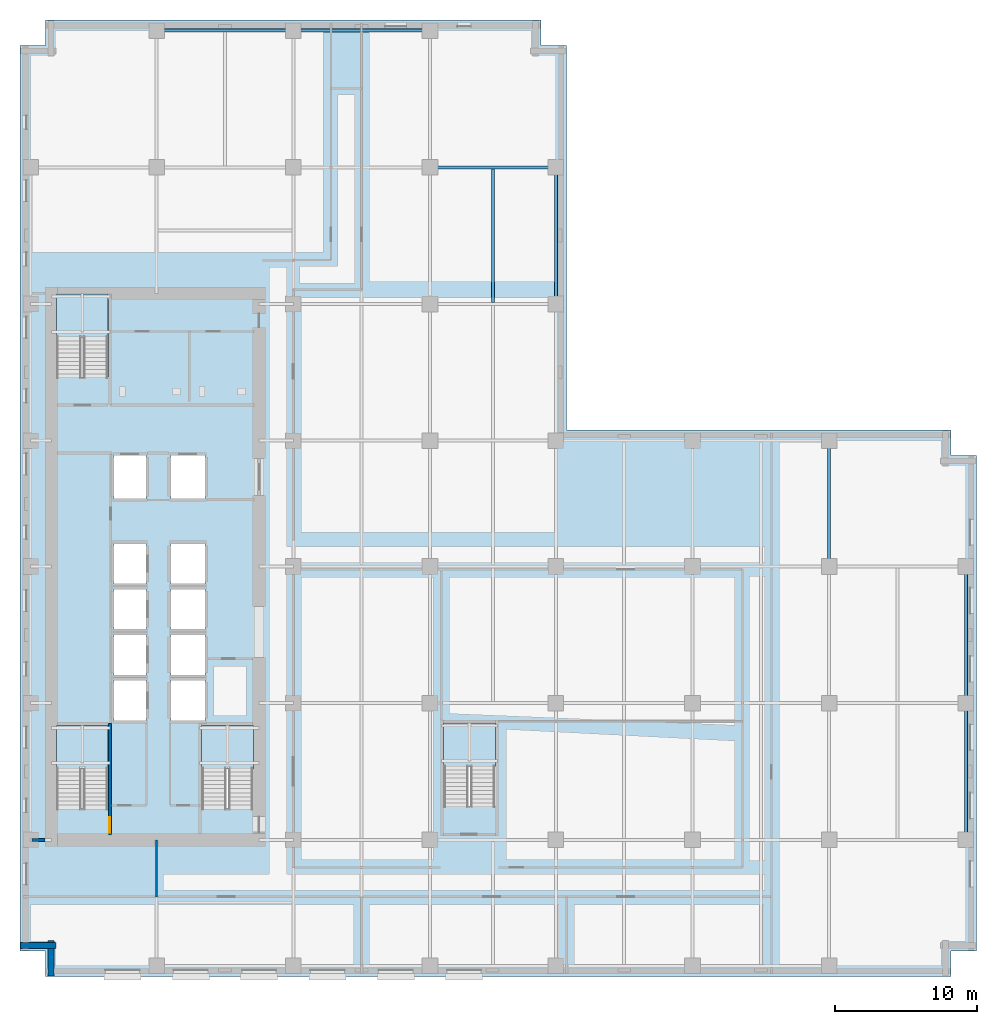
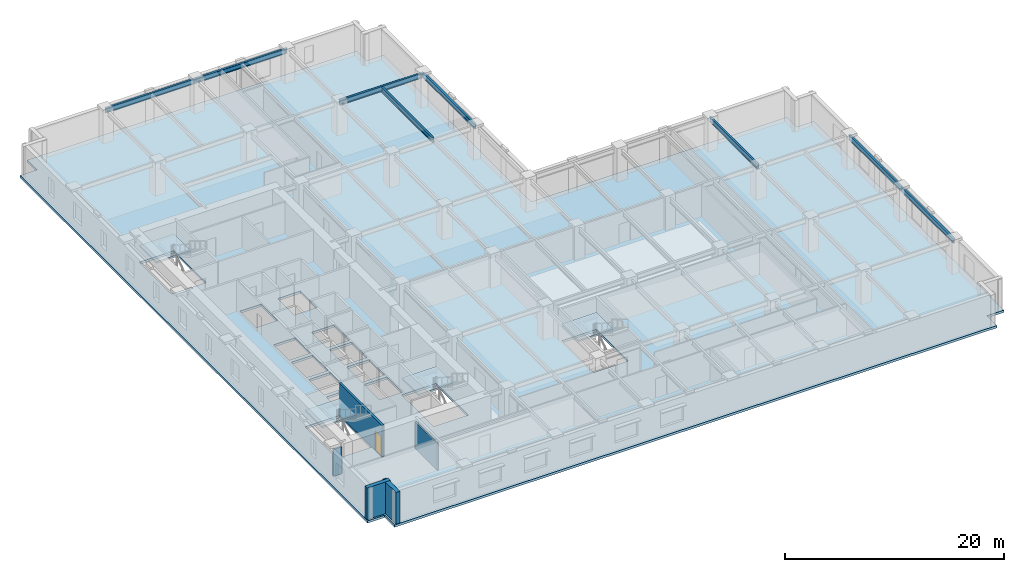
# One storey, part 3 of 14: 8 beams, 5 slabs, 5 walls, 1 door, 1 opening, 4 elements without a shape of their own.
"""IFC4 building model written with IfcOpenShell, lengths in metres."""

from ifc_helpers import new_model, si_unit, direction, frame, frame_2d, origin, origin_2d, place, context, subcontext, project, spatial, polyline, rectangle, i_section, outline, extrude, material, layer, layer_set, material_profile, profile_set, type_object, element, fill, aggregate, save


model = new_model("IFC4")

# Units and contexts
model_context = context("Model", 3, precision=1e-05, world=origin(), true_north=direction((0.0, 1.0)))
body_context = subcontext(model_context, "Body", "Model", "MODEL_VIEW")
ifc_project = project(units=[si_unit("LENGTHUNIT", "METRE"), si_unit("AREAUNIT", "SQUARE_METRE"), si_unit("VOLUMEUNIT", "CUBIC_METRE"), si_unit("PLANEANGLEUNIT", "RADIAN"), si_unit("MASSUNIT", "GRAM", prefix="KILO")], contexts=[model_context])

# Site, building, storey
site_placement = place(None, origin())
site = spatial("IfcSite", under=ifc_project, at=site_placement, CompositionType="ELEMENT")
building_placement = place(site_placement, origin())
building = spatial("IfcBuilding", under=site, at=building_placement, Name="Norrvale University Quadrangle", CompositionType="ELEMENT")
storey_placement = place(building_placement, frame((0.0, 0.0, 73.60009765625)))
storey = spatial("IfcBuildingStorey", under=building, at=storey_placement, Name="L18", CompositionType="ELEMENT", Elevation=73.60009765625)

# Beams
ifc_material_1 = material(Name="Steel 350W", Category="steel")
ifc_material_profile_1 = material_profile(ifc_material_1, i_section(OverallWidth=0.2119140625, OverallDepth=0.5439453125, WebThickness=0.01318359375, FlangeThickness=0.021240234375, FilletRadius=0.013916015625, at=origin_2d()), Name="Steel 350W")
ifc_profile_set_1 = profile_set([ifc_material_profile_1], Name="Steel 350W")
beam_type_1 = type_object("IfcBeamType", Name="Beam Floor W530x123", PredefinedType="BEAM", material=ifc_profile_set_1)
beam_1_placement = place(storey_placement, frame((28.800048828125, 56.85009765625, 3.267822265625), z_axis=(1.0, 0.0, 0.0), x_axis=(0.0, 1.0, 0.0)))
element("IfcBeam", 1, at=beam_1_placement, inside=storey, type_object=beam_type_1, Name="Beam Floor W530x123 BM-L18-GX030", PredefinedType="BEAM", context=body_context, shape_type="SweptSolid", body=[
    extrude(i_section(OverallWidth=0.2119140625, OverallDepth=0.5439453125, WebThickness=0.01318359375, FlangeThickness=0.021240234375, FilletRadius=0.013916015625, at=origin_2d()), origin(), (0.0, 0.0, 1.0), 8.849853515625),
])
beam_2_placement = place(storey_placement, frame((9.60009765625, 66.449951171875, 3.267822265625), z_axis=(1.0, 0.0, 0.0), x_axis=(0.0, 1.0, 0.0)))
element("IfcBeam", 2, at=beam_2_placement, inside=storey, type_object=beam_type_1, Name="Beam Floor W530x123 BM-L18-GX031", PredefinedType="BEAM", context=body_context, shape_type="SweptSolid", body=[
    extrude(i_section(OverallWidth=0.2119140625, OverallDepth=0.5439453125, WebThickness=0.01318359375, FlangeThickness=0.021240234375, FilletRadius=0.013916015625, at=origin_2d()), origin(), (0.0, 0.0, 1.0), 9.599853515625),
])
for number, where, z_axis, x_axis, name in (
    (3, (19.199951171875, 66.449951171875, 3.267822265625), (1.0, 0.0, 0.0), (0.0, 1.0, 0.0), "Beam Floor W530x123 BM-L18-GX032"),
    (4, (37.64990234375, 47.25, 3.267822265625), (0.0, 1.0, 0.0), (-1.0, 0.0, 0.0), "Beam Floor W530x123 BM-L18-GY058"),
):
    element("IfcBeam", number, at=place(storey_placement, frame(where, z_axis=z_axis, x_axis=x_axis)), inside=storey, type_object=beam_type_1, Name=name, PredefinedType="BEAM", context=body_context, shape_type="SweptSolid", body=[
        extrude(i_section(OverallWidth=0.2119140625, OverallDepth=0.5439453125, WebThickness=0.01318359375, FlangeThickness=0.021240234375, FilletRadius=0.013916015625, at=origin_2d()), origin(), (0.0, 0.0, 1.0), 9.60009765625),
    ])
beam_3_placement = place(storey_placement, frame((56.85009765625, 28.800048828125, 3.267822265625), z_axis=(0.0, 1.0, 0.0), x_axis=(-1.0, 0.0, 0.0)))
element("IfcBeam", 5, at=beam_3_placement, inside=storey, type_object=beam_type_1, Name="Beam Floor W530x123 BM-L18-GY066", PredefinedType="BEAM", context=body_context, shape_type="SweptSolid", body=[
    extrude(i_section(OverallWidth=0.2119140625, OverallDepth=0.5439453125, WebThickness=0.01318359375, FlangeThickness=0.021240234375, FilletRadius=0.013916015625, at=origin_2d()), origin(), (0.0, 0.0, 1.0), 8.849853515625),
])
beam_4_placement = place(storey_placement, frame((66.449951171875, 9.60009765625, 3.267822265625), z_axis=(0.0, 1.0, 0.0), x_axis=(-1.0, 0.0, 0.0)))
element("IfcBeam", 6, at=beam_4_placement, inside=storey, type_object=beam_type_1, Name="Beam Floor W530x123 BM-L18-GY067", PredefinedType="BEAM", context=body_context, shape_type="SweptSolid", body=[
    extrude(i_section(OverallWidth=0.2119140625, OverallDepth=0.5439453125, WebThickness=0.01318359375, FlangeThickness=0.021240234375, FilletRadius=0.013916015625, at=origin_2d()), origin(), (0.0, 0.0, 1.0), 9.599853515625),
])
beam_5_placement = place(storey_placement, frame((66.449951171875, 19.199951171875, 3.267822265625), z_axis=(0.0, 1.0, 0.0), x_axis=(-1.0, 0.0, 0.0)))
element("IfcBeam", 7, at=beam_5_placement, inside=storey, type_object=beam_type_1, Name="Beam Floor W530x123 BM-L18-GY068", PredefinedType="BEAM", context=body_context, shape_type="SweptSolid", body=[
    extrude(i_section(OverallWidth=0.2119140625, OverallDepth=0.5439453125, WebThickness=0.01318359375, FlangeThickness=0.021240234375, FilletRadius=0.013916015625, at=origin_2d()), origin(), (0.0, 0.0, 1.0), 9.60009765625),
])
ifc_material_profile_2 = material_profile(ifc_material_1, i_section(OverallWidth=0.208984375, OverallDepth=0.532958984375, WebThickness=0.01025390625, FlangeThickness=0.015625, FilletRadius=0.013916015625, at=origin_2d()), Name="Steel 350W")
ifc_profile_set_2 = profile_set([ifc_material_profile_2], Name="Steel 350W")
beam_type_2 = type_object("IfcBeamType", Name="Beam Floor W530x92", PredefinedType="JOIST", material=ifc_profile_set_2)
beam_6_placement = place(storey_placement, frame((33.22509765625, 47.35595703125, 3.2734375), z_axis=(0.0, 1.0, 0.0), x_axis=(-1.0, 0.0, 0.0)))
element("IfcBeam", 8, at=beam_6_placement, inside=storey, type_object=beam_type_2, Name="Beam Floor W530x92 BM-L18-J091", PredefinedType="JOIST", context=body_context, shape_type="SweptSolid", body=[
    extrude(i_section(OverallWidth=0.208984375, OverallDepth=0.532958984375, WebThickness=0.01025390625, FlangeThickness=0.015625, FilletRadius=0.013916015625, at=origin_2d()), origin(), (0.0, 0.0, 1.0), 9.387939453125),
])

# Stair, slab
ifc_material_2 = material(Name="Concrete C40/50", Category="concrete")
stair_type = type_object("IfcStairType", Name="Stair Tower Typ 3800", PredefinedType="TWO_STRAIGHT_RUN_STAIR", material=ifc_material_2)
stair_1_placement = place(storey_placement, origin())
stair_1 = element("IfcStair", 9, at=stair_1_placement, inside=storey, type_object=stair_type, Name="Exit Stair ST-01 L18", PredefinedType="TWO_STRAIGHT_RUN_STAIR")
ifc_layer_1 = layer(ifc_material_2, 0.199951171875, Name="Concrete C40/50")
ifc_layer_set_1 = layer_set([ifc_layer_1], Name="Concrete C40/50")
slab_type_1 = type_object("IfcSlabType", Name="Slab Landing 200", PredefinedType="LANDING", material=ifc_layer_set_1)
slab_1_placement = place(storey_placement, frame((0.0, 0.0, 1.699951171875)))
slab_1 = element("IfcSlab", 10, at=slab_1_placement, type_object=slab_type_1, Name="Exit Stair ST-01 L18 Mid Landing", PredefinedType="LANDING", context=body_context, shape_type="SweptSolid", body=[
    extrude(outline(polyline([(2.550048828125, 14.590087890625), (6.199951171875, 14.590087890625), (6.199951171875, 17.64990234375), (2.550048828125, 17.64990234375), (2.550048828125, 14.590087890625)])), origin(), (0.0, 0.0, 1.0), 0.199951171875),
])
aggregate(stair_1, [slab_1])

stair_2_placement = place(storey_placement, origin())
stair_2 = element("IfcStair", 11, at=stair_2_placement, inside=storey, type_object=stair_type, Name="Exit Stair ST-02 L18", PredefinedType="TWO_STRAIGHT_RUN_STAIR")
slab_2_placement = place(storey_placement, frame((0.0, 0.0, 1.699951171875)))
slab_2 = element("IfcSlab", 12, at=slab_2_placement, type_object=slab_type_1, Name="Exit Stair ST-02 L18 Mid Landing", PredefinedType="LANDING", context=body_context, shape_type="SweptSolid", body=[
    extrude(outline(polyline([(2.550048828125, 44.889892578125), (6.199951171875, 44.889892578125), (6.199951171875, 47.949951171875), (2.550048828125, 47.949951171875), (2.550048828125, 44.889892578125)])), origin(), (0.0, 0.0, 1.0), 0.199951171875),
])
aggregate(stair_2, [slab_2])

stair_3_placement = place(storey_placement, origin())
stair_3 = element("IfcStair", 13, at=stair_3_placement, inside=storey, type_object=stair_type, Name="Exit Stair ST-03 L18", PredefinedType="TWO_STRAIGHT_RUN_STAIR")
slab_3_placement = place(storey_placement, frame((0.0, 0.0, 1.699951171875)))
slab_3 = element("IfcSlab", 14, at=slab_3_placement, type_object=slab_type_1, Name="Exit Stair ST-03 L18 Mid Landing", PredefinedType="LANDING", context=body_context, shape_type="SweptSolid", body=[
    extrude(outline(polyline([(12.75, 14.590087890625), (16.39990234375, 14.590087890625), (16.39990234375, 17.64990234375), (12.75, 17.64990234375), (12.75, 14.590087890625)])), origin(), (0.0, 0.0, 1.0), 0.199951171875),
])
aggregate(stair_3, [slab_3])

stair_4_placement = place(storey_placement, origin())
stair_4 = element("IfcStair", 15, at=stair_4_placement, inside=storey, type_object=stair_type, Name="Exit Stair ST-04 L18", PredefinedType="TWO_STRAIGHT_RUN_STAIR")
slab_4_placement = place(storey_placement, frame((0.0, 0.0, 1.699951171875)))
slab_4 = element("IfcSlab", 16, at=slab_4_placement, type_object=slab_type_1, Name="Exit Stair ST-04 L18 Mid Landing", PredefinedType="LANDING", context=body_context, shape_type="SweptSolid", body=[
    extrude(outline(polyline([(29.75, 14.739990234375), (33.39990234375, 14.739990234375), (33.39990234375, 17.800048828125), (29.75, 17.800048828125), (29.75, 14.739990234375)])), origin(), (0.0, 0.0, 1.0), 0.199951171875),
])
aggregate(stair_4, [slab_4])

# Slab
ifc_layer_2 = layer(ifc_material_2, 0.260009765625, Name="Concrete C40/50")
ifc_layer_set_2 = layer_set([ifc_layer_2], Name="Concrete C40/50")
slab_type_2 = type_object("IfcSlabType", Name="Slab Tower Typ 260", PredefinedType="FLOOR", material=ifc_layer_set_2)
slab_5_placement = place(storey_placement, frame((0.0, 0.0, -0.260009765625)))
element("IfcSlab", 17, at=slab_5_placement, inside=storey, type_object=slab_type_2, Name="Tower L18 Floor Slab", PredefinedType="FLOOR", context=body_context, shape_type="SweptSolid", body=[
    extrude(outline(polyline([(1.800048828125, 0.0), (65.39990234375, 0.0), (65.39990234375, 1.800048828125), (67.199951171875, 1.800048828125), (67.199951171875, 36.60009765625), (65.39990234375, 36.60009765625), (65.39990234375, 38.39990234375), (38.39990234375, 38.39990234375), (38.39990234375, 65.39990234375), (36.60009765625, 65.39990234375), (36.60009765625, 67.199951171875), (1.800048828125, 67.199951171875), (1.800048828125, 65.39990234375), (0.0, 65.39990234375), (0.0, 1.800048828125), (1.800048828125, 1.800048828125), (1.800048828125, 0.0)]), holes=[polyline([(2.550048828125, 11.81005859375), (6.199951171875, 11.81005859375), (6.199951171875, 17.64990234375), (2.550048828125, 17.64990234375), (2.550048828125, 11.81005859375)]), polyline([(2.550048828125, 42.110107421875), (6.199951171875, 42.110107421875), (6.199951171875, 47.949951171875), (2.550048828125, 47.949951171875), (2.550048828125, 42.110107421875)]), polyline([(12.75, 11.81005859375), (16.39990234375, 11.81005859375), (16.39990234375, 17.64990234375), (12.75, 17.64990234375), (12.75, 11.81005859375)]), polyline([(29.75, 11.9599609375), (33.39990234375, 11.9599609375), (33.39990234375, 17.800048828125), (29.75, 17.800048828125), (29.75, 11.9599609375)]), polyline([(6.60009765625, 18.0), (8.85009765625, 18.0), (8.85009765625, 20.800048828125), (6.60009765625, 20.800048828125), (6.60009765625, 18.0)]), polyline([(6.60009765625, 21.199951171875), (8.85009765625, 21.199951171875), (8.85009765625, 24.0), (6.60009765625, 24.0), (6.60009765625, 21.199951171875)]), polyline([(6.60009765625, 24.39990234375), (8.85009765625, 24.39990234375), (8.85009765625, 27.199951171875), (6.60009765625, 27.199951171875), (6.60009765625, 24.39990234375)]), polyline([(6.60009765625, 27.60009765625), (8.85009765625, 27.60009765625), (8.85009765625, 30.39990234375), (6.60009765625, 30.39990234375), (6.60009765625, 27.60009765625)]), polyline([(10.60009765625, 18.0), (13.0, 18.0), (13.0, 20.800048828125), (10.60009765625, 20.800048828125), (10.60009765625, 18.0)]), polyline([(10.60009765625, 21.199951171875), (13.0, 21.199951171875), (13.0, 24.0), (10.60009765625, 24.0), (10.60009765625, 21.199951171875)]), polyline([(10.60009765625, 24.39990234375), (13.0, 24.39990234375), (13.0, 27.199951171875), (10.60009765625, 27.199951171875), (10.60009765625, 24.39990234375)]), polyline([(10.60009765625, 27.60009765625), (13.0, 27.60009765625), (13.0, 30.39990234375), (10.60009765625, 30.39990234375), (10.60009765625, 27.60009765625)]), polyline([(6.60009765625, 33.60009765625), (8.85009765625, 33.60009765625), (8.85009765625, 36.60009765625), (6.60009765625, 36.60009765625), (6.60009765625, 33.60009765625)]), polyline([(10.60009765625, 33.60009765625), (13.0, 33.60009765625), (13.0, 36.60009765625), (10.60009765625, 36.60009765625), (10.60009765625, 33.60009765625)])]), origin(), (0.0, 0.0, 1.0), 0.260009765625),
])

# Walls
ifc_material_3 = material(Name="Fire-Rated Gypsum Stud Partition")
ifc_layer_3 = layer(ifc_material_3, 0.14990234375, Name="Fire-Rated Gypsum Stud Partition")
ifc_layer_set_3 = layer_set([ifc_layer_3], Name="Fire-Rated Gypsum Stud Partition")
wall_type_1 = type_object("IfcWallType", Name="Wall Gypsum Corridor 150", PredefinedType="PARTITIONING", material=ifc_layer_set_3)
wall_1_placement = place(storey_placement, frame((9.60009765625, 5.60009765625, 0.0), z_axis=(0.0, 0.0, 1.0), x_axis=(0.0, 1.0, 0.0)))
element("IfcWall", 18, at=wall_1_placement, inside=storey, type_object=wall_type_1, Name="Interior Partition WL-L18-CSW-END", PredefinedType="PARTITIONING", context=body_context, shape_type="SweptSolid", body=[
    extrude(rectangle(XDim=4.0, YDim=0.14990234375, at=frame_2d((2.0, 0.0))), origin(), (0.0, 0.0, 1.0), 2.995849609375),
])
ifc_material_4 = material(Name="Concrete Blockwork 20 MPa Rated Wall", Category="masonry")
ifc_layer_4 = layer(ifc_material_4, 0.199951171875, Name="Concrete Blockwork 20 MPa Rated Wall")
ifc_layer_set_4 = layer_set([ifc_layer_4], Name="Concrete Blockwork 20 MPa Rated Wall")
wall_type_2 = type_object("IfcWallType", Name="Wall Lobby 200", PredefinedType="SOLIDWALL", material=ifc_layer_set_4)
wall_2_placement = place(storey_placement, frame((0.85009765625, 9.60009765625, 0.0), z_axis=(0.0, 0.0, 1.0), x_axis=(1.0, 0.0, 0.0)))
element("IfcWall", 19, at=wall_2_placement, inside=storey, type_object=wall_type_2, Name="Interior Partition WL-L18-CWRET-S", PredefinedType="SOLIDWALL", context=body_context, shape_type="SweptSolid", body=[
    extrude(rectangle(XDim=0.89501953125, YDim=0.199951171875, at=frame_2d((0.447509765625, 0.0))), origin(), (0.0, 0.0, 1.0), 2.995849609375),
])
ifc_material_5 = material(Name="Red Manganese Brick Masonry", Category="masonry")
ifc_layer_5 = layer(ifc_material_5, 0.39990234375, Name="Red Manganese Brick Masonry")
ifc_layer_set_5 = layer_set([ifc_layer_5], Name="Red Manganese Brick Masonry")
wall_type_3 = type_object("IfcWallType", Name="Wall Red Brick 400", PredefinedType="SOLIDWALL", material=ifc_layer_set_5)
for number, where, z_axis, x_axis, name in (
    (20, (0.0400390625, 2.179931640625, 0.0), (0.0, 0.0, 1.0), (1.0, 0.0, 0.0), "Exterior Brick Facade Wall L18-15.1"),
    (21, (2.179931640625, 2.52001953125, 0.0), (0.0, 0.0, 1.0), (0.0, -1.0, 0.0), "Exterior Brick Facade Wall L18-16.1"),
):
    element("IfcWall", number, at=place(storey_placement, frame(where, z_axis=z_axis, x_axis=x_axis)), inside=storey, type_object=wall_type_3, Name=name, PredefinedType="SOLIDWALL", context=body_context, shape_type="SweptSolid", body=[
        extrude(rectangle(XDim=2.47998046875, YDim=0.39990234375, at=frame_2d((1.239990234375, 0.0))), origin(), (0.0, 0.0, 1.0), 3.539794921875),
    ])

# Wall, opening, door
ifc_material_6 = material(Name="Concrete Blockwork 20 MPa Fire Shaft", Category="masonry")
ifc_layer_6 = layer(ifc_material_6, 0.219970703125, Name="Concrete Blockwork 20 MPa Fire Shaft")
ifc_layer_set_6 = layer_set([ifc_layer_6], Name="Concrete Blockwork 20 MPa Fire Shaft")
wall_type_4 = type_object("IfcWallType", Name="Wall Shaft 220", PredefinedType="SOLIDWALL", material=ifc_layer_set_6)
wall_3_placement = place(storey_placement, frame((6.31005859375, 9.949951171875, 0.0), z_axis=(0.0, 0.0, 1.0), x_axis=(0.0, 1.0, 0.0)))
wall_3 = element("IfcWall", 22, at=wall_3_placement, inside=storey, type_object=wall_type_4, Name="Stair ST-01 East Shaft Wall L18", PredefinedType="SOLIDWALL", context=body_context, shape_type="SweptSolid", body=[
    extrude(rectangle(XDim=7.81005859375, YDim=0.219970703125, at=frame_2d((3.905029296875, 0.0))), origin(), (0.0, 0.0, 1.0), 3.539794921875),
])
opening_placement = place(wall_3_placement, frame((0.139892578125, 0.0, 0.0)))
opening = element("IfcOpeningElement", 23, at=opening_placement, cuts=wall_3, Name="Opening D02", PredefinedType="OPENING", context=body_context, shape_type="SweptSolid", body=[
    extrude(rectangle(XDim=1.10009765625, YDim=2.199951171875, at=frame_2d((0.550048828125, 1.10009765625))), frame((0.0, 0.1220703125, 0.0), z_axis=(0.0, -1.0, 0.0), x_axis=(1.0, 0.0, 0.0)), (0.0, 0.0, 1.0), 0.243896484375),
])
ifc_material_7 = material(Name="Hollow Steel 350W Fire Door", Category="steel")
door_type = type_object("IfcDoorType", Name="Door Stair Exit 1100x2200", OperationType="NOTDEFINED", PredefinedType="DOOR", material=ifc_material_7)
door_placement = place(opening_placement, origin())
door = element("IfcDoor", 24, at=door_placement, inside=storey, type_object=door_type, Name="Door Stair Exit 1100x2200 DR-L18-ST01", OperationType="SINGLE_SWING_LEFT", OverallHeight=2.199951171875, OverallWidth=1.10009765625, PredefinedType="DOOR", context=body_context, shape_type="SweptSolid", body=[
    extrude(rectangle(XDim=1.10009765625, YDim=2.199951171875, at=frame_2d((0.550048828125, 1.10009765625))), frame((0.0, 0.02490234375, 0.0), z_axis=(0.0, -1.0, 0.0), x_axis=(1.0, 0.0, 0.0)), (0.0, 0.0, 1.0), 0.050048828125),
])
fill(opening, door)

save(model, "model.ifc")
